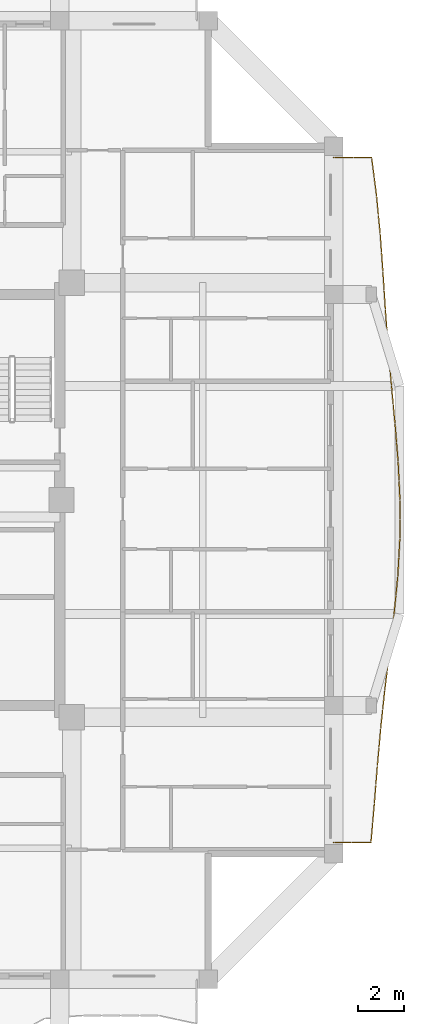
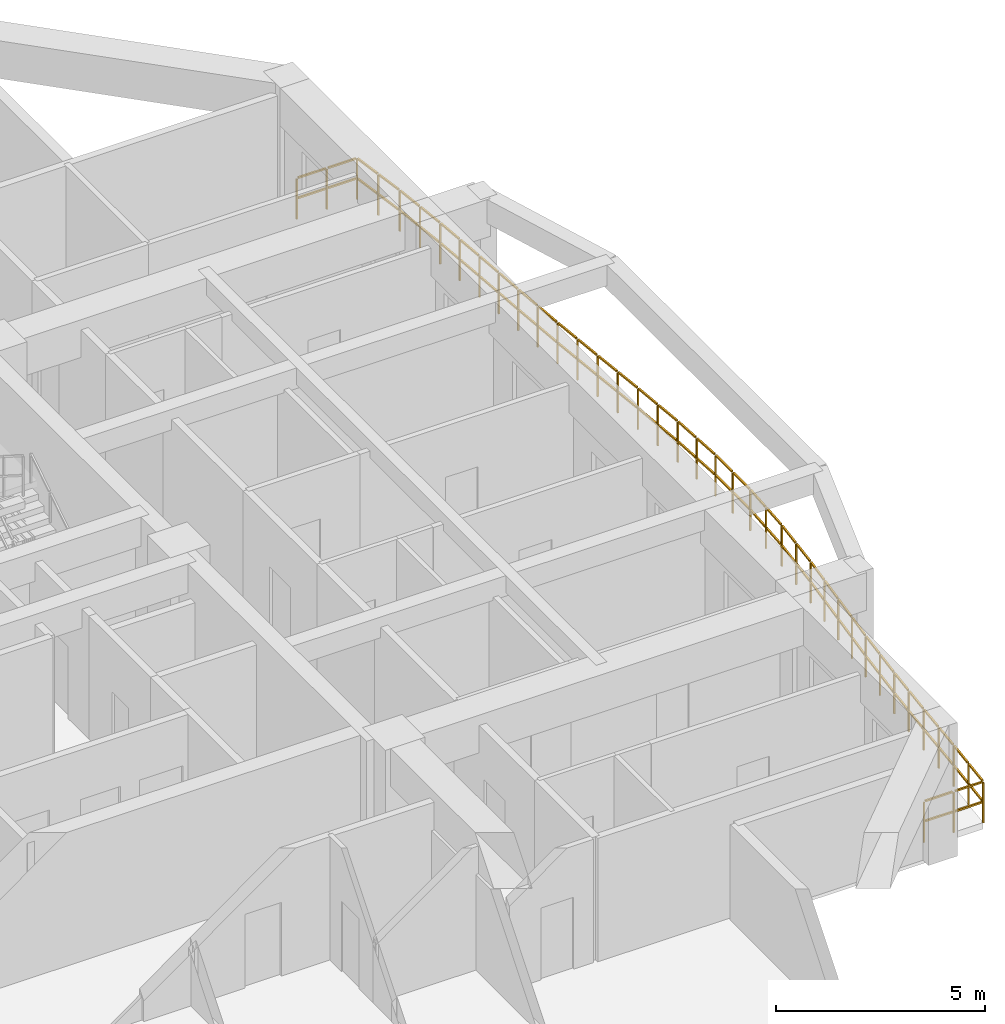
# One storey, part 13 of 14: 1 railing.
"""IFC4 building model written with IfcOpenShell, lengths in metres."""

from ifc_helpers import new_model, si_unit, direction, frame, origin, origin_2d, place, context, subcontext, project, spatial, rectangle, extrude, material, type_object, element, save


model = new_model("IFC4")

# Units and contexts
model_context = context("Model", 3, precision=1e-05, world=origin(), true_north=direction((0.0, 1.0)))
body_context = subcontext(model_context, "Body", "Model", "MODEL_VIEW")
ifc_project = project(units=[si_unit("LENGTHUNIT", "METRE"), si_unit("AREAUNIT", "SQUARE_METRE"), si_unit("VOLUMEUNIT", "CUBIC_METRE"), si_unit("PLANEANGLEUNIT", "RADIAN"), si_unit("MASSUNIT", "GRAM", prefix="KILO")], contexts=[model_context])

# Site, building, storey
site_placement = place(None, origin())
site = spatial("IfcSite", under=ifc_project, at=site_placement, CompositionType="ELEMENT")
building_placement = place(site_placement, origin())
building = spatial("IfcBuilding", under=site, at=building_placement, Name="Saelheon Loggia Tower", CompositionType="ELEMENT")
storey_placement = place(building_placement, frame((0.0, 0.0, 202.60009765625)))
storey = spatial("IfcBuildingStorey", under=building, at=storey_placement, Name="L63", CompositionType="ELEMENT", Elevation=202.60009765625)

# Railing
ifc_material = material(Name="Architectural Precast Concrete and Laminated Glass Guard", Category="concrete")
railing_type = type_object("IfcRailingType", Name="Guard_Loggia_RL_LOG", PredefinedType="BALUSTRADE", material=ifc_material)
railing_placement = place(storey_placement, frame((56.5, 12.0, 0.0)))
element("IfcRailing", 1, at=railing_placement, inside=storey, type_object=railing_type, Name="L63 East Loggia Balustrade", PredefinedType="BALUSTRADE", context=body_context, shape_type="SweptSolid", body=[
    extrude(rectangle(XDim=0.048095703125, YDim=0.048095703125, at=origin_2d()), frame((0.033203125, 0.0, 1.19580078125), z_axis=(1.0, 0.0, 0.0), x_axis=(0.0, 1.0, 0.0)), (0.0, 0.0, 1.0), 0.7509765625),
    extrude(rectangle(XDim=0.048095703125, YDim=0.048095703125, at=origin_2d()), frame((0.033203125, 0.0, 0.60986328125), z_axis=(1.0, 0.0, 0.0), x_axis=(0.0, 1.0, 0.0)), (0.0, 0.0, 1.0), 0.7509765625),
    extrude(rectangle(XDim=0.048095703125, YDim=0.048095703125, at=origin_2d()), frame((0.850830078125, 0.0, 1.19580078125), z_axis=(1.0, 0.0, 0.0), x_axis=(0.0, 1.0, 0.0)), (0.0, 0.0, 1.0), 0.7509765625),
    extrude(rectangle(XDim=0.048095703125, YDim=0.048095703125, at=origin_2d()), frame((0.850830078125, 0.0, 0.60986328125), z_axis=(1.0, 0.0, 0.0), x_axis=(0.0, 1.0, 0.0)), (0.0, 0.0, 1.0), 0.7509765625),
    extrude(rectangle(XDim=0.048095703125, YDim=0.048095703125, at=origin_2d()), frame((1.637939453125, 0.033203125, 1.19580078125), z_axis=(0.087114455938, 0.996198309357, 0.0), x_axis=(-0.996198309357, 0.087114455938, 0.0)), (0.0, 0.0, 1.0), 0.77001953125),
    extrude(rectangle(XDim=0.048095703125, YDim=0.048095703125, at=origin_2d()), frame((1.637939453125, 0.033203125, 0.60986328125), z_axis=(0.087114455938, 0.996198309357, 0.0), x_axis=(-0.996198309357, 0.087114455938, 0.0)), (0.0, 0.0, 1.0), 0.77001953125),
    extrude(rectangle(XDim=0.048095703125, YDim=0.048095703125, at=origin_2d()), frame((1.710693359375, 0.866455078125, 1.19580078125), z_axis=(0.087114455938, 0.996198309357, 0.0), x_axis=(-0.996198309357, 0.087114455938, 0.0)), (0.0, 0.0, 1.0), 0.77001953125),
    extrude(rectangle(XDim=0.048095703125, YDim=0.048095703125, at=origin_2d()), frame((1.710693359375, 0.866455078125, 0.60986328125), z_axis=(0.087114455938, 0.996198309357, 0.0), x_axis=(-0.996198309357, 0.087114455938, 0.0)), (0.0, 0.0, 1.0), 0.77001953125),
    extrude(rectangle(XDim=0.048095703125, YDim=0.048095703125, at=origin_2d()), frame((1.783447265625, 1.699951171875, 1.19580078125), z_axis=(0.07973361399, 0.996816207132, 0.0), x_axis=(-0.996816207132, 0.07973361399, 0.0)), (0.0, 0.0, 1.0), 0.76953125),
    extrude(rectangle(XDim=0.048095703125, YDim=0.048095703125, at=origin_2d()), frame((1.783447265625, 1.699951171875, 0.60986328125), z_axis=(0.07973361399, 0.996816207132, 0.0), x_axis=(-0.996816207132, 0.07973361399, 0.0)), (0.0, 0.0, 1.0), 0.76953125),
    extrude(rectangle(XDim=0.048095703125, YDim=0.048095703125, at=origin_2d()), frame((1.85009765625, 2.533203125, 1.19580078125), z_axis=(0.07973361399, 0.996816207132, 0.0), x_axis=(-0.996816207132, 0.07973361399, 0.0)), (0.0, 0.0, 1.0), 0.76953125),
    extrude(rectangle(XDim=0.048095703125, YDim=0.048095703125, at=origin_2d()), frame((1.85009765625, 2.533203125, 0.60986328125), z_axis=(0.07973361399, 0.996816207132, 0.0), x_axis=(-0.996816207132, 0.07973361399, 0.0)), (0.0, 0.0, 1.0), 0.76953125),
    extrude(rectangle(XDim=0.048095703125, YDim=0.048095703125, at=origin_2d()), frame((1.9169921875, 3.366455078125, 1.19580078125), z_axis=(0.088417548039, 0.99608349911, 0.0), x_axis=(-0.99608349911, 0.088417548039, 0.0)), (0.0, 0.0, 1.0), 0.770263671875),
    extrude(rectangle(XDim=0.048095703125, YDim=0.048095703125, at=origin_2d()), frame((1.9169921875, 3.366455078125, 0.60986328125), z_axis=(0.088417548039, 0.99608349911, 0.0), x_axis=(-0.99608349911, 0.088417548039, 0.0)), (0.0, 0.0, 1.0), 0.770263671875),
    extrude(rectangle(XDim=0.048095703125, YDim=0.048095703125, at=origin_2d()), frame((1.990966796875, 4.19970703125, 1.19580078125), z_axis=(0.088417548039, 0.99608349911, 0.0), x_axis=(-0.99608349911, 0.088417548039, 0.0)), (0.0, 0.0, 1.0), 0.770263671875),
    extrude(rectangle(XDim=0.048095703125, YDim=0.048095703125, at=origin_2d()), frame((1.990966796875, 4.19970703125, 0.60986328125), z_axis=(0.088417548039, 0.99608349911, 0.0), x_axis=(-0.99608349911, 0.088417548039, 0.0)), (0.0, 0.0, 1.0), 0.770263671875),
    extrude(rectangle(XDim=0.048095703125, YDim=0.048095703125, at=origin_2d()), frame((2.0654296875, 5.032958984375, 1.19580078125), z_axis=(0.106178269107, 0.994347110002, 0.0), x_axis=(-0.994347110002, 0.106178269107, 0.0)), (0.0, 0.0, 1.0), 0.771728515625),
    extrude(rectangle(XDim=0.048095703125, YDim=0.048095703125, at=origin_2d()), frame((2.0654296875, 5.032958984375, 0.60986328125), z_axis=(0.106178269107, 0.994347110002, 0.0), x_axis=(-0.994347110002, 0.106178269107, 0.0)), (0.0, 0.0, 1.0), 0.771728515625),
    extrude(rectangle(XDim=0.048095703125, YDim=0.048095703125, at=origin_2d()), frame((2.154541015625, 5.866455078125, 1.19580078125), z_axis=(0.106178269107, 0.994347110002, 0.0), x_axis=(-0.994347110002, 0.106178269107, 0.0)), (0.0, 0.0, 1.0), 0.771728515625),
    extrude(rectangle(XDim=0.048095703125, YDim=0.048095703125, at=origin_2d()), frame((2.154541015625, 5.866455078125, 0.60986328125), z_axis=(0.106178269107, 0.994347110002, 0.0), x_axis=(-0.994347110002, 0.106178269107, 0.0)), (0.0, 0.0, 1.0), 0.771728515625),
    extrude(rectangle(XDim=0.048095703125, YDim=0.048095703125, at=origin_2d()), frame((2.243896484375, 6.69970703125, 1.19580078125), z_axis=(0.120704864323, 0.992688438398, 0.0), x_axis=(-0.992688438398, 0.120704864323, 0.0)), (0.0, 0.0, 1.0), 0.77294921875),
    extrude(rectangle(XDim=0.048095703125, YDim=0.048095703125, at=origin_2d()), frame((2.243896484375, 6.69970703125, 0.60986328125), z_axis=(0.120704864323, 0.992688438398, 0.0), x_axis=(-0.992688438398, 0.120704864323, 0.0)), (0.0, 0.0, 1.0), 0.77294921875),
    extrude(rectangle(XDim=0.048095703125, YDim=0.048095703125, at=origin_2d()), frame((2.34521484375, 7.532958984375, 1.19580078125), z_axis=(0.120704864323, 0.992688438398, 0.0), x_axis=(-0.992688438398, 0.120704864323, 0.0)), (0.0, 0.0, 1.0), 0.77294921875),
    extrude(rectangle(XDim=0.048095703125, YDim=0.048095703125, at=origin_2d()), frame((2.34521484375, 7.532958984375, 0.60986328125), z_axis=(0.120704864323, 0.992688438398, 0.0), x_axis=(-0.992688438398, 0.120704864323, 0.0)), (0.0, 0.0, 1.0), 0.77294921875),
    extrude(rectangle(XDim=0.048095703125, YDim=0.048095703125, at=origin_2d()), frame((2.446533203125, 8.3662109375, 1.19580078125), z_axis=(0.120257541517, 0.992742727855, 0.0), x_axis=(-0.992742727855, 0.120257541517, 0.0)), (0.0, 0.0, 1.0), 0.77294921875),
    extrude(rectangle(XDim=0.048095703125, YDim=0.048095703125, at=origin_2d()), frame((2.446533203125, 8.3662109375, 0.60986328125), z_axis=(0.120257541517, 0.992742727855, 0.0), x_axis=(-0.992742727855, 0.120257541517, 0.0)), (0.0, 0.0, 1.0), 0.77294921875),
    extrude(rectangle(XDim=0.048095703125, YDim=0.048095703125, at=origin_2d()), frame((2.547607421875, 9.19970703125, 1.19580078125), z_axis=(0.120257541517, 0.992742727855, 0.0), x_axis=(-0.992742727855, 0.120257541517, 0.0)), (0.0, 0.0, 1.0), 0.77294921875),
    extrude(rectangle(XDim=0.048095703125, YDim=0.048095703125, at=origin_2d()), frame((2.547607421875, 9.19970703125, 0.60986328125), z_axis=(0.120257541517, 0.992742727855, 0.0), x_axis=(-0.992742727855, 0.120257541517, 0.0)), (0.0, 0.0, 1.0), 0.77294921875),
    extrude(rectangle(XDim=0.048095703125, YDim=0.048095703125, at=origin_2d()), frame((2.647705078125, 10.032958984375, 1.19580078125), z_axis=(0.097814897241, 0.995204625129, 0.0), x_axis=(-0.995204625129, 0.097814897241, 0.0)), (0.0, 0.0, 1.0), 0.77099609375),
    extrude(rectangle(XDim=0.048095703125, YDim=0.048095703125, at=origin_2d()), frame((2.647705078125, 10.032958984375, 0.60986328125), z_axis=(0.097814897241, 0.995204625129, 0.0), x_axis=(-0.995204625129, 0.097814897241, 0.0)), (0.0, 0.0, 1.0), 0.77099609375),
    extrude(rectangle(XDim=0.048095703125, YDim=0.048095703125, at=origin_2d()), frame((2.729736328125, 10.866455078125, 1.19580078125), z_axis=(0.097814897241, 0.995204625129, 0.0), x_axis=(-0.995204625129, 0.097814897241, 0.0)), (0.0, 0.0, 1.0), 0.77099609375),
    extrude(rectangle(XDim=0.048095703125, YDim=0.048095703125, at=origin_2d()), frame((2.729736328125, 10.866455078125, 0.60986328125), z_axis=(0.097814897241, 0.995204625129, 0.0), x_axis=(-0.995204625129, 0.097814897241, 0.0)), (0.0, 0.0, 1.0), 0.77099609375),
    extrude(rectangle(XDim=0.048095703125, YDim=0.048095703125, at=origin_2d()), frame((2.81005859375, 11.699951171875, 1.19580078125), z_axis=(0.05485429076, 0.998494369932, 0.0), x_axis=(-0.998494369932, 0.05485429076, 0.0)), (0.0, 0.0, 1.0), 0.76806640625),
    extrude(rectangle(XDim=0.048095703125, YDim=0.048095703125, at=origin_2d()), frame((2.81005859375, 11.699951171875, 0.60986328125), z_axis=(0.05485429076, 0.998494369932, 0.0), x_axis=(-0.998494369932, 0.05485429076, 0.0)), (0.0, 0.0, 1.0), 0.76806640625),
    extrude(rectangle(XDim=0.048095703125, YDim=0.048095703125, at=origin_2d()), frame((2.85595703125, 12.533203125, 1.19580078125), z_axis=(0.05485429076, 0.998494369932, 0.0), x_axis=(-0.998494369932, 0.05485429076, 0.0)), (0.0, 0.0, 1.0), 0.76806640625),
    extrude(rectangle(XDim=0.048095703125, YDim=0.048095703125, at=origin_2d()), frame((2.85595703125, 12.533203125, 0.60986328125), z_axis=(0.05485429076, 0.998494369932, 0.0), x_axis=(-0.998494369932, 0.05485429076, 0.0)), (0.0, 0.0, 1.0), 0.76806640625),
    extrude(rectangle(XDim=0.048095703125, YDim=0.048095703125, at=origin_2d()), frame((2.89990234375, 13.366455078125, 1.19580078125), z_axis=(0.001611247359, 0.99999870194, 0.0), x_axis=(-0.99999870194, 0.001611247359, 0.0)), (0.0, 0.0, 1.0), 0.766845703125),
    extrude(rectangle(XDim=0.048095703125, YDim=0.048095703125, at=origin_2d()), frame((2.89990234375, 13.366455078125, 0.60986328125), z_axis=(0.001611247359, 0.99999870194, 0.0), x_axis=(-0.99999870194, 0.001611247359, 0.0)), (0.0, 0.0, 1.0), 0.766845703125),
    extrude(rectangle(XDim=0.048095703125, YDim=0.048095703125, at=origin_2d()), frame((2.9013671875, 14.199951171875, 1.19580078125), z_axis=(0.001611247359, 0.99999870194, 0.0), x_axis=(-0.99999870194, 0.001611247359, 0.0)), (0.0, 0.0, 1.0), 0.766845703125),
    extrude(rectangle(XDim=0.048095703125, YDim=0.048095703125, at=origin_2d()), frame((2.9013671875, 14.199951171875, 0.60986328125), z_axis=(0.001611247359, 0.99999870194, 0.0), x_axis=(-0.99999870194, 0.001611247359, 0.0)), (0.0, 0.0, 1.0), 0.766845703125),
    extrude(rectangle(XDim=0.048095703125, YDim=0.048095703125, at=origin_2d()), frame((2.90087890625, 15.033203125, 1.19580078125), z_axis=(-0.047843201799, 0.998854858346, 0.0), x_axis=(-0.998854858346, -0.047843201799, 0.0)), (0.0, 0.0, 1.0), 0.767822265625),
    extrude(rectangle(XDim=0.048095703125, YDim=0.048095703125, at=origin_2d()), frame((2.90087890625, 15.033203125, 0.60986328125), z_axis=(-0.047843201799, 0.998854858346, 0.0), x_axis=(-0.998854858346, -0.047843201799, 0.0)), (0.0, 0.0, 1.0), 0.767822265625),
    extrude(rectangle(XDim=0.048095703125, YDim=0.048095703125, at=origin_2d()), frame((2.861083984375, 15.866455078125, 1.19580078125), z_axis=(-0.047843201799, 0.998854858346, 0.0), x_axis=(-0.998854858346, -0.047843201799, 0.0)), (0.0, 0.0, 1.0), 0.767822265625),
    extrude(rectangle(XDim=0.048095703125, YDim=0.048095703125, at=origin_2d()), frame((2.861083984375, 15.866455078125, 0.60986328125), z_axis=(-0.047843201799, 0.998854858346, 0.0), x_axis=(-0.998854858346, -0.047843201799, 0.0)), (0.0, 0.0, 1.0), 0.767822265625),
    extrude(rectangle(XDim=0.048095703125, YDim=0.048095703125, at=origin_2d()), frame((2.820068359375, 16.699951171875, 1.19580078125), z_axis=(-0.080894281966, 0.996722687183, 0.0), x_axis=(-0.996722687183, -0.080894281966, 0.0)), (0.0, 0.0, 1.0), 0.76953125),
    extrude(rectangle(XDim=0.048095703125, YDim=0.048095703125, at=origin_2d()), frame((2.820068359375, 16.699951171875, 0.60986328125), z_axis=(-0.080894281966, 0.996722687183, 0.0), x_axis=(-0.996722687183, -0.080894281966, 0.0)), (0.0, 0.0, 1.0), 0.76953125),
    extrude(rectangle(XDim=0.048095703125, YDim=0.048095703125, at=origin_2d()), frame((2.75244140625, 17.533203125, 1.19580078125), z_axis=(-0.080894281966, 0.996722687183, 0.0), x_axis=(-0.996722687183, -0.080894281966, 0.0)), (0.0, 0.0, 1.0), 0.76953125),
    extrude(rectangle(XDim=0.048095703125, YDim=0.048095703125, at=origin_2d()), frame((2.75244140625, 17.533203125, 0.60986328125), z_axis=(-0.080894281966, 0.996722687183, 0.0), x_axis=(-0.996722687183, -0.080894281966, 0.0)), (0.0, 0.0, 1.0), 0.76953125),
    extrude(rectangle(XDim=0.048095703125, YDim=0.048095703125, at=origin_2d()), frame((2.684326171875, 18.366455078125, 1.19580078125), z_axis=(-0.092613280801, 0.995702154371, 0.0), x_axis=(-0.995702154371, -0.092613280801, 0.0)), (0.0, 0.0, 1.0), 0.7705078125),
    extrude(rectangle(XDim=0.048095703125, YDim=0.048095703125, at=origin_2d()), frame((2.684326171875, 18.366455078125, 0.60986328125), z_axis=(-0.092613280801, 0.995702154371, 0.0), x_axis=(-0.995702154371, -0.092613280801, 0.0)), (0.0, 0.0, 1.0), 0.7705078125),
    extrude(rectangle(XDim=0.048095703125, YDim=0.048095703125, at=origin_2d()), frame((2.60693359375, 19.19970703125, 1.19580078125), z_axis=(-0.092613280801, 0.995702154371, 0.0), x_axis=(-0.995702154371, -0.092613280801, 0.0)), (0.0, 0.0, 1.0), 0.7705078125),
    extrude(rectangle(XDim=0.048095703125, YDim=0.048095703125, at=origin_2d()), frame((2.60693359375, 19.19970703125, 0.60986328125), z_axis=(-0.092613280801, 0.995702154371, 0.0), x_axis=(-0.995702154371, -0.092613280801, 0.0)), (0.0, 0.0, 1.0), 0.7705078125),
    extrude(rectangle(XDim=0.048095703125, YDim=0.048095703125, at=origin_2d()), frame((2.529541015625, 20.033203125, 1.19580078125), z_axis=(-0.086390322179, 0.99626136743, 0.0), x_axis=(-0.99626136743, -0.086390322179, 0.0)), (0.0, 0.0, 1.0), 0.77001953125),
    extrude(rectangle(XDim=0.048095703125, YDim=0.048095703125, at=origin_2d()), frame((2.529541015625, 20.033203125, 0.60986328125), z_axis=(-0.086390322179, 0.99626136743, 0.0), x_axis=(-0.99626136743, -0.086390322179, 0.0)), (0.0, 0.0, 1.0), 0.77001953125),
    extrude(rectangle(XDim=0.048095703125, YDim=0.048095703125, at=origin_2d()), frame((2.457275390625, 20.866455078125, 1.19580078125), z_axis=(-0.086390322179, 0.99626136743, 0.0), x_axis=(-0.99626136743, -0.086390322179, 0.0)), (0.0, 0.0, 1.0), 0.77001953125),
    extrude(rectangle(XDim=0.048095703125, YDim=0.048095703125, at=origin_2d()), frame((2.457275390625, 20.866455078125, 0.60986328125), z_axis=(-0.086390322179, 0.99626136743, 0.0), x_axis=(-0.99626136743, -0.086390322179, 0.0)), (0.0, 0.0, 1.0), 0.77001953125),
    extrude(rectangle(XDim=0.048095703125, YDim=0.048095703125, at=origin_2d()), frame((2.385498046875, 21.699951171875, 1.19580078125), z_axis=(-0.072762955311, 0.997349262964, 0.0), x_axis=(-0.997349262964, -0.072762955311, 0.0)), (0.0, 0.0, 1.0), 0.76904296875),
    extrude(rectangle(XDim=0.048095703125, YDim=0.048095703125, at=origin_2d()), frame((2.385498046875, 21.699951171875, 0.60986328125), z_axis=(-0.072762955311, 0.997349262964, 0.0), x_axis=(-0.997349262964, -0.072762955311, 0.0)), (0.0, 0.0, 1.0), 0.76904296875),
    extrude(rectangle(XDim=0.048095703125, YDim=0.048095703125, at=origin_2d()), frame((2.32470703125, 22.533203125, 1.19580078125), z_axis=(-0.072762955311, 0.997349262964, 0.0), x_axis=(-0.997349262964, -0.072762955311, 0.0)), (0.0, 0.0, 1.0), 0.76904296875),
    extrude(rectangle(XDim=0.048095703125, YDim=0.048095703125, at=origin_2d()), frame((2.32470703125, 22.533203125, 0.60986328125), z_axis=(-0.072762955311, 0.997349262964, 0.0), x_axis=(-0.997349262964, -0.072762955311, 0.0)), (0.0, 0.0, 1.0), 0.76904296875),
    extrude(rectangle(XDim=0.048095703125, YDim=0.048095703125, at=origin_2d()), frame((2.26416015625, 23.366455078125, 1.19580078125), z_axis=(-0.064753226783, 0.997901307556, 0.0), x_axis=(-0.997901307556, -0.064753226783, 0.0)), (0.0, 0.0, 1.0), 0.7685546875),
    extrude(rectangle(XDim=0.048095703125, YDim=0.048095703125, at=origin_2d()), frame((2.26416015625, 23.366455078125, 0.60986328125), z_axis=(-0.064753226783, 0.997901307556, 0.0), x_axis=(-0.997901307556, -0.064753226783, 0.0)), (0.0, 0.0, 1.0), 0.7685546875),
    extrude(rectangle(XDim=0.048095703125, YDim=0.048095703125, at=origin_2d()), frame((2.210205078125, 24.19970703125, 1.19580078125), z_axis=(-0.064753226783, 0.997901307556, 0.0), x_axis=(-0.997901307556, -0.064753226783, 0.0)), (0.0, 0.0, 1.0), 0.7685546875),
    extrude(rectangle(XDim=0.048095703125, YDim=0.048095703125, at=origin_2d()), frame((2.210205078125, 24.19970703125, 0.60986328125), z_axis=(-0.064753226783, 0.997901307556, 0.0), x_axis=(-0.997901307556, -0.064753226783, 0.0)), (0.0, 0.0, 1.0), 0.7685546875),
    extrude(rectangle(XDim=0.048095703125, YDim=0.048095703125, at=origin_2d()), frame((2.15576171875, 25.033203125, 1.19580078125), z_axis=(-0.07188037557, 0.997413260193, 0.0), x_axis=(-0.997413260193, -0.07188037557, 0.0)), (0.0, 0.0, 1.0), 0.76904296875),
    extrude(rectangle(XDim=0.048095703125, YDim=0.048095703125, at=origin_2d()), frame((2.15576171875, 25.033203125, 0.60986328125), z_axis=(-0.07188037557, 0.997413260193, 0.0), x_axis=(-0.997413260193, -0.07188037557, 0.0)), (0.0, 0.0, 1.0), 0.76904296875),
    extrude(rectangle(XDim=0.048095703125, YDim=0.048095703125, at=origin_2d()), frame((2.095703125, 25.866455078125, 1.19580078125), z_axis=(-0.07188037557, 0.997413260193, 0.0), x_axis=(-0.997413260193, -0.07188037557, 0.0)), (0.0, 0.0, 1.0), 0.76904296875),
    extrude(rectangle(XDim=0.048095703125, YDim=0.048095703125, at=origin_2d()), frame((2.095703125, 25.866455078125, 0.60986328125), z_axis=(-0.07188037557, 0.997413260193, 0.0), x_axis=(-0.997413260193, -0.07188037557, 0.0)), (0.0, 0.0, 1.0), 0.76904296875),
    extrude(rectangle(XDim=0.048095703125, YDim=0.048095703125, at=origin_2d()), frame((2.034912109375, 26.699951171875, 1.19580078125), z_axis=(-0.095084372912, 0.995469217017, 0.0), x_axis=(-0.995469217017, -0.095084372912, 0.0)), (0.0, 0.0, 1.0), 0.7705078125),
    extrude(rectangle(XDim=0.048095703125, YDim=0.048095703125, at=origin_2d()), frame((2.034912109375, 26.699951171875, 0.60986328125), z_axis=(-0.095084372912, 0.995469217017, 0.0), x_axis=(-0.995469217017, -0.095084372912, 0.0)), (0.0, 0.0, 1.0), 0.7705078125),
    extrude(rectangle(XDim=0.048095703125, YDim=0.048095703125, at=origin_2d()), frame((1.955322265625, 27.533203125, 1.19580078125), z_axis=(-0.095084372912, 0.995469217017, 0.0), x_axis=(-0.995469217017, -0.095084372912, 0.0)), (0.0, 0.0, 1.0), 0.7705078125),
    extrude(rectangle(XDim=0.048095703125, YDim=0.048095703125, at=origin_2d()), frame((1.955322265625, 27.533203125, 0.60986328125), z_axis=(-0.095084372912, 0.995469217017, 0.0), x_axis=(-0.995469217017, -0.095084372912, 0.0)), (0.0, 0.0, 1.0), 0.7705078125),
    extrude(rectangle(XDim=0.048095703125, YDim=0.048095703125, at=origin_2d()), frame((1.874755859375, 28.3662109375, 1.19580078125), z_axis=(-0.12755645116, 0.991831312153, 0.0), x_axis=(-0.991831312153, -0.12755645116, 0.0)), (0.0, 0.0, 1.0), 0.773681640625),
    extrude(rectangle(XDim=0.048095703125, YDim=0.048095703125, at=origin_2d()), frame((1.874755859375, 28.3662109375, 0.60986328125), z_axis=(-0.12755645116, 0.991831312153, 0.0), x_axis=(-0.991831312153, -0.12755645116, 0.0)), (0.0, 0.0, 1.0), 0.773681640625),
    extrude(rectangle(XDim=0.048095703125, YDim=0.048095703125, at=origin_2d()), frame((1.767578125, 29.19970703125, 1.19580078125), z_axis=(-0.12755645116, 0.991831312153, 0.0), x_axis=(-0.991831312153, -0.12755645116, 0.0)), (0.0, 0.0, 1.0), 0.773681640625),
    extrude(rectangle(XDim=0.048095703125, YDim=0.048095703125, at=origin_2d()), frame((1.767578125, 29.19970703125, 0.60986328125), z_axis=(-0.12755645116, 0.991831312153, 0.0), x_axis=(-0.991831312153, -0.12755645116, 0.0)), (0.0, 0.0, 1.0), 0.773681640625),
    extrude(rectangle(XDim=0.048095703125, YDim=0.048095703125, at=origin_2d()), frame((1.63134765625, 30.0, 1.19580078125), z_axis=(-1.0, 0.0, 0.0), x_axis=(0.0, -1.0, 0.0)), (0.0, 0.0, 1.0), 0.765869140625),
    extrude(rectangle(XDim=0.048095703125, YDim=0.048095703125, at=origin_2d()), frame((1.63134765625, 30.0, 0.60986328125), z_axis=(-1.0, 0.0, 0.0), x_axis=(0.0, -1.0, 0.0)), (0.0, 0.0, 1.0), 0.765869140625),
    extrude(rectangle(XDim=0.048095703125, YDim=0.048095703125, at=origin_2d()), frame((0.799072265625, 30.0, 1.19580078125), z_axis=(-1.0, 0.0, 0.0), x_axis=(0.0, -1.0, 0.0)), (0.0, 0.0, 1.0), 0.765869140625),
    extrude(rectangle(XDim=0.048095703125, YDim=0.048095703125, at=origin_2d()), frame((0.799072265625, 30.0, 0.60986328125), z_axis=(-1.0, 0.0, 0.0), x_axis=(0.0, -1.0, 0.0)), (0.0, 0.0, 1.0), 0.765869140625),
    extrude(rectangle(XDim=0.0419921875, YDim=0.0419921875, at=origin_2d()), origin(), (0.0, 0.0, 1.0), 1.16796875),
    extrude(rectangle(XDim=0.0419921875, YDim=0.0419921875, at=origin_2d()), frame((0.8173828125, 0.0, 0.0)), (0.0, 0.0, 1.0), 1.16796875),
    extrude(rectangle(XDim=0.0419921875, YDim=0.0419921875, at=origin_2d()), frame((1.635009765625, 0.0, 0.0)), (0.0, 0.0, 1.0), 1.16796875),
    extrude(rectangle(XDim=0.0419921875, YDim=0.0419921875, at=origin_2d()), frame((1.7080078125, 0.83349609375, 0.0)), (0.0, 0.0, 1.0), 1.16796875),
    extrude(rectangle(XDim=0.0419921875, YDim=0.0419921875, at=origin_2d()), frame((1.78076171875, 1.666748046875, 0.0)), (0.0, 0.0, 1.0), 1.16796875),
    extrude(rectangle(XDim=0.0419921875, YDim=0.0419921875, at=origin_2d()), frame((1.847412109375, 2.5, 0.0)), (0.0, 0.0, 1.0), 1.16796875),
    extrude(rectangle(XDim=0.0419921875, YDim=0.0419921875, at=origin_2d()), frame((1.9140625, 3.333251953125, 0.0)), (0.0, 0.0, 1.0), 1.16796875),
    extrude(rectangle(XDim=0.0419921875, YDim=0.0419921875, at=origin_2d()), frame((1.988037109375, 4.16650390625, 0.0)), (0.0, 0.0, 1.0), 1.16796875),
    extrude(rectangle(XDim=0.0419921875, YDim=0.0419921875, at=origin_2d()), frame((2.06201171875, 5.0, 0.0)), (0.0, 0.0, 1.0), 1.16796875),
    extrude(rectangle(XDim=0.0419921875, YDim=0.0419921875, at=origin_2d()), frame((2.15087890625, 5.83349609375, 0.0)), (0.0, 0.0, 1.0), 1.16796875),
    extrude(rectangle(XDim=0.0419921875, YDim=0.0419921875, at=origin_2d()), frame((2.239990234375, 6.666748046875, 0.0)), (0.0, 0.0, 1.0), 1.16796875),
    extrude(rectangle(XDim=0.0419921875, YDim=0.0419921875, at=origin_2d()), frame((2.34130859375, 7.5, 0.0)), (0.0, 0.0, 1.0), 1.16796875),
    extrude(rectangle(XDim=0.0419921875, YDim=0.0419921875, at=origin_2d()), frame((2.442626953125, 8.333251953125, 0.0)), (0.0, 0.0, 1.0), 1.16796875),
    extrude(rectangle(XDim=0.0419921875, YDim=0.0419921875, at=origin_2d()), frame((2.54345703125, 9.16650390625, 0.0)), (0.0, 0.0, 1.0), 1.16796875),
    extrude(rectangle(XDim=0.0419921875, YDim=0.0419921875, at=origin_2d()), frame((2.64453125, 10.0, 0.0)), (0.0, 0.0, 1.0), 1.16796875),
    extrude(rectangle(XDim=0.0419921875, YDim=0.0419921875, at=origin_2d()), frame((2.7265625, 10.83349609375, 0.0)), (0.0, 0.0, 1.0), 1.16796875),
    extrude(rectangle(XDim=0.0419921875, YDim=0.0419921875, at=origin_2d()), frame((2.808349609375, 11.666748046875, 0.0)), (0.0, 0.0, 1.0), 1.16796875),
    extrude(rectangle(XDim=0.0419921875, YDim=0.0419921875, at=origin_2d()), frame((2.85400390625, 12.5, 0.0)), (0.0, 0.0, 1.0), 1.16796875),
    extrude(rectangle(XDim=0.0419921875, YDim=0.0419921875, at=origin_2d()), frame((2.89990234375, 13.333251953125, 0.0)), (0.0, 0.0, 1.0), 1.16796875),
    extrude(rectangle(XDim=0.0419921875, YDim=0.0419921875, at=origin_2d()), frame((2.9013671875, 14.16650390625, 0.0)), (0.0, 0.0, 1.0), 1.16796875),
    extrude(rectangle(XDim=0.0419921875, YDim=0.0419921875, at=origin_2d()), frame((2.902587890625, 15.0, 0.0)), (0.0, 0.0, 1.0), 1.16796875),
    extrude(rectangle(XDim=0.0419921875, YDim=0.0419921875, at=origin_2d()), frame((2.86279296875, 15.83349609375, 0.0)), (0.0, 0.0, 1.0), 1.16796875),
    extrude(rectangle(XDim=0.0419921875, YDim=0.0419921875, at=origin_2d()), frame((2.82275390625, 16.666748046875, 0.0)), (0.0, 0.0, 1.0), 1.16796875),
    extrude(rectangle(XDim=0.0419921875, YDim=0.0419921875, at=origin_2d()), frame((2.755126953125, 17.5, 0.0)), (0.0, 0.0, 1.0), 1.16796875),
    extrude(rectangle(XDim=0.0419921875, YDim=0.0419921875, at=origin_2d()), frame((2.6875, 18.333251953125, 0.0)), (0.0, 0.0, 1.0), 1.16796875),
    extrude(rectangle(XDim=0.0419921875, YDim=0.0419921875, at=origin_2d()), frame((2.60986328125, 19.16650390625, 0.0)), (0.0, 0.0, 1.0), 1.16796875),
    extrude(rectangle(XDim=0.0419921875, YDim=0.0419921875, at=origin_2d()), frame((2.532470703125, 20.0, 0.0)), (0.0, 0.0, 1.0), 1.16796875),
    extrude(rectangle(XDim=0.0419921875, YDim=0.0419921875, at=origin_2d()), frame((2.460205078125, 20.83349609375, 0.0)), (0.0, 0.0, 1.0), 1.16796875),
    extrude(rectangle(XDim=0.0419921875, YDim=0.0419921875, at=origin_2d()), frame((2.387939453125, 21.666748046875, 0.0)), (0.0, 0.0, 1.0), 1.16796875),
    extrude(rectangle(XDim=0.0419921875, YDim=0.0419921875, at=origin_2d()), frame((2.3271484375, 22.5, 0.0)), (0.0, 0.0, 1.0), 1.16796875),
    extrude(rectangle(XDim=0.0419921875, YDim=0.0419921875, at=origin_2d()), frame((2.266357421875, 23.333251953125, 0.0)), (0.0, 0.0, 1.0), 1.16796875),
    extrude(rectangle(XDim=0.0419921875, YDim=0.0419921875, at=origin_2d()), frame((2.21240234375, 24.16650390625, 0.0)), (0.0, 0.0, 1.0), 1.16796875),
    extrude(rectangle(XDim=0.0419921875, YDim=0.0419921875, at=origin_2d()), frame((2.158203125, 25.0, 0.0)), (0.0, 0.0, 1.0), 1.16796875),
    extrude(rectangle(XDim=0.0419921875, YDim=0.0419921875, at=origin_2d()), frame((2.09814453125, 25.83349609375, 0.0)), (0.0, 0.0, 1.0), 1.16796875),
    extrude(rectangle(XDim=0.0419921875, YDim=0.0419921875, at=origin_2d()), frame((2.0380859375, 26.666748046875, 0.0)), (0.0, 0.0, 1.0), 1.16796875),
    extrude(rectangle(XDim=0.0419921875, YDim=0.0419921875, at=origin_2d()), frame((1.95849609375, 27.5, 0.0)), (0.0, 0.0, 1.0), 1.16796875),
    extrude(rectangle(XDim=0.0419921875, YDim=0.0419921875, at=origin_2d()), frame((1.87890625, 28.333251953125, 0.0)), (0.0, 0.0, 1.0), 1.16796875),
    extrude(rectangle(XDim=0.0419921875, YDim=0.0419921875, at=origin_2d()), frame((1.771728515625, 29.16650390625, 0.0)), (0.0, 0.0, 1.0), 1.16796875),
    extrude(rectangle(XDim=0.0419921875, YDim=0.0419921875, at=origin_2d()), frame((1.66455078125, 30.0, 0.0)), (0.0, 0.0, 1.0), 1.16796875),
    extrude(rectangle(XDim=0.0419921875, YDim=0.0419921875, at=origin_2d()), frame((0.832275390625, 30.0, 0.0)), (0.0, 0.0, 1.0), 1.16796875),
    extrude(rectangle(XDim=0.0419921875, YDim=0.0419921875, at=origin_2d()), frame((0.0, 30.0, 0.0)), (0.0, 0.0, 1.0), 1.16796875),
])

save(model, "model.ifc")
